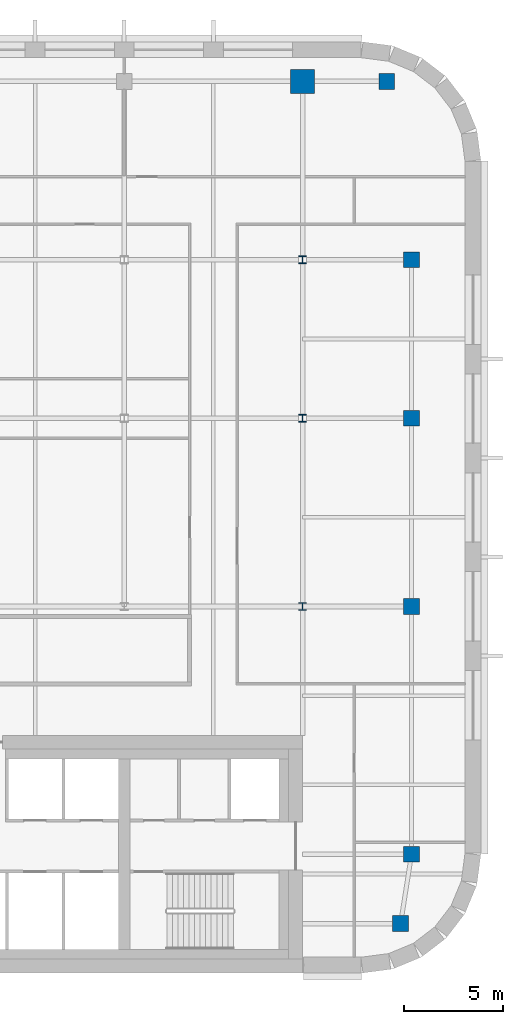
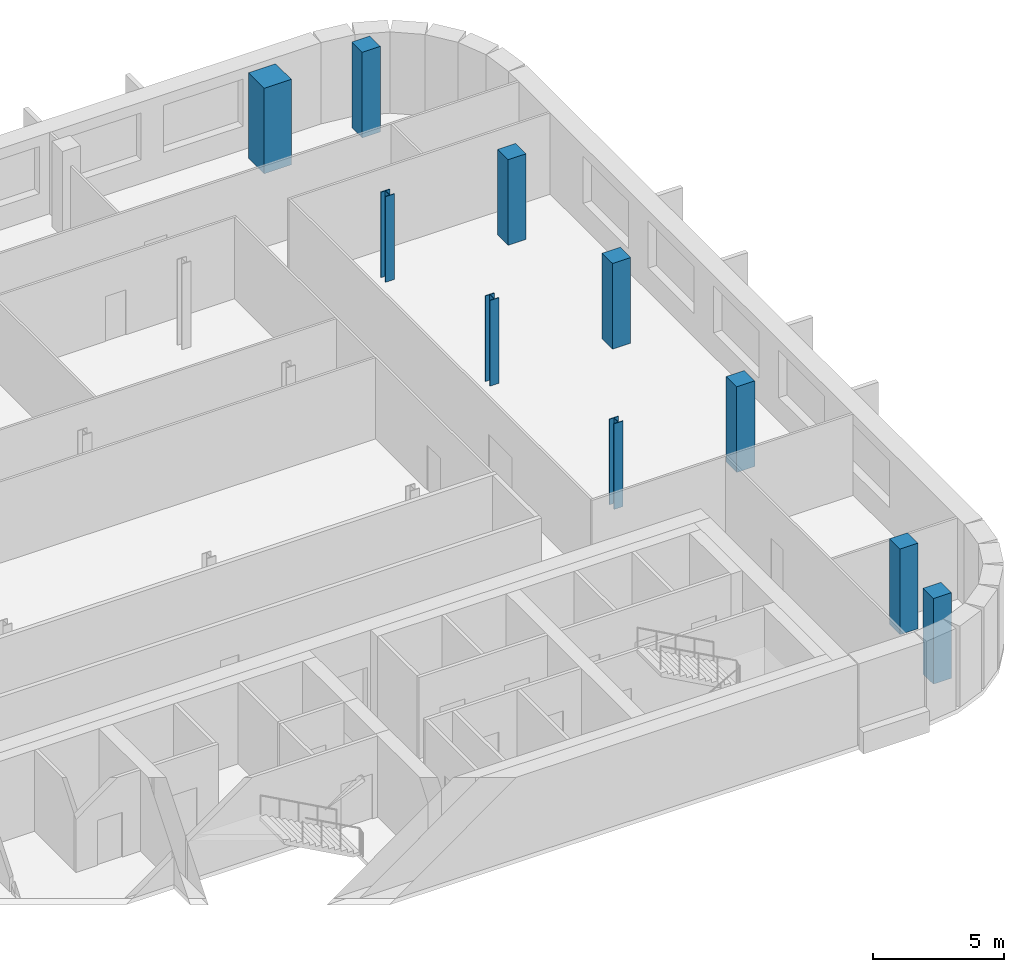
# One storey, part 4 of 16: 10 columns.
"""IFC4 building model written with IfcOpenShell, lengths in metres."""

from ifc_helpers import new_model, si_unit, direction, frame, origin, origin_2d, place, context, subcontext, project, spatial, rectangle, i_section, extrude, material, material_profile, profile_set, type_object, element, save


model = new_model("IFC4")

# Units and contexts
model_context = context("Model", 3, precision=1e-05, world=origin(), true_north=direction((0.0, 1.0)))
body_context = subcontext(model_context, "Body", "Model", "MODEL_VIEW")
ifc_project = project(units=[si_unit("LENGTHUNIT", "METRE"), si_unit("AREAUNIT", "SQUARE_METRE"), si_unit("VOLUMEUNIT", "CUBIC_METRE"), si_unit("PLANEANGLEUNIT", "RADIAN"), si_unit("MASSUNIT", "GRAM", prefix="KILO")], contexts=[model_context])

# Site, building, storey
site_placement = place(None, origin())
site = spatial("IfcSite", under=ifc_project, at=site_placement, CompositionType="ELEMENT")
building_placement = place(site_placement, origin())
building = spatial("IfcBuilding", under=site, at=building_placement, Name="Zellij Exchange Tower", CompositionType="ELEMENT")
storey_placement = place(building_placement, frame((0.0, 0.0, 236.5)))
storey = spatial("IfcBuildingStorey", under=building, at=storey_placement, Name="L55", CompositionType="ELEMENT", Elevation=236.5)

# Columns
ifc_material_1 = material(Name="Concrete C50/60", Category="concrete")
ifc_material_profile_1 = material_profile(ifc_material_1, rectangle(XDim=0.800048828125, YDim=0.800048828125, at=origin_2d()), Name="STR-COLUMN RC800x800 C50/60")
ifc_profile_set_1 = profile_set([ifc_material_profile_1], Name="Concrete C50/60")
column_type_1 = type_object("IfcColumnType", Name="STR-COLUMN RC800x800 C50/60", PredefinedType="COLUMN", material=ifc_profile_set_1)
for number, where, z_axis, x_axis, name in (
    (1, (31.949951171875, -11.5, 0.0), (0.0, 0.0, 1.0), (1.0, 0.0, 0.0), "C15"),
    (2, (32.5, -8.0, 0.0), (0.0, 0.0, 1.0), (1.0, 0.0, 0.0), "C15"),
    (3, (32.5, 4.5, 0.0), (0.0, 0.0, 1.0), (1.0, 0.0, 0.0), "C15"),
    (4, (32.5, 14.0, 0.0), (0.0, 0.0, 1.0), (1.0, 0.0, 0.0), "C15"),
    (5, (32.5, 22.0, 0.0), (0.0, 0.0, 1.0), (1.0, 0.0, 0.0), "C15"),
    (6, (31.25, 31.0, 0.0), (0.0, 0.0, 1.0), (1.0, 0.0, 0.0), "C15"),
):
    element("IfcColumn", number, at=place(storey_placement, frame(where, z_axis=z_axis, x_axis=x_axis)), inside=storey, type_object=column_type_1, Name=name, PredefinedType="COLUMN", context=body_context, shape_type="SweptSolid", body=[
        extrude(rectangle(XDim=0.800048828125, YDim=0.800048828125, at=origin_2d()), origin(), (0.0, 0.0, 1.0), 4.0),
    ])
ifc_material_2 = material(Name="Structural steel ASTM A992 Gr 50", Category="steel")
ifc_material_profile_2 = material_profile(ifc_material_2, i_section(OverallWidth=0.398681640625, OverallDepth=0.385986328125, WebThickness=0.02099609375, FlangeThickness=0.033203125, at=origin_2d()), Name="W14x176")
ifc_profile_set_2 = profile_set([ifc_material_profile_2], Name="Structural steel ASTM A992 Gr 50")
column_type_2 = type_object("IfcColumnType", Name="STR-COLUMN W14x176", PredefinedType="COLUMN", material=ifc_profile_set_2)
for number, where, z_axis, x_axis, name in (
    (7, (27.0, 4.5, 0.0), (0.0, 0.0, 1.0), (1.0, 0.0, 0.0), "C2"),
    (8, (27.0, 14.0, 0.0), (0.0, 0.0, 1.0), (1.0, 0.0, 0.0), "C2"),
    (9, (27.0, 22.0, 0.0), (0.0, 0.0, 1.0), (1.0, 0.0, 0.0), "C2"),
):
    element("IfcColumn", number, at=place(storey_placement, frame(where, z_axis=z_axis, x_axis=x_axis)), inside=storey, type_object=column_type_2, Name=name, PredefinedType="COLUMN", context=body_context, shape_type="SweptSolid", body=[
        extrude(i_section(OverallWidth=0.398681640625, OverallDepth=0.385986328125, WebThickness=0.02099609375, FlangeThickness=0.033203125, at=origin_2d()), origin(), (0.0, 0.0, 1.0), 4.0),
    ])
ifc_material_profile_3 = material_profile(ifc_material_1, rectangle(XDim=1.199951171875, YDim=1.199951171875, at=origin_2d()), Name="STR-MEGA COLUMN RC1200x1200 C50/60")
ifc_profile_set_3 = profile_set([ifc_material_profile_3], Name="Concrete C50/60")
column_type_3 = type_object("IfcColumnType", Name="STR-MEGA COLUMN RC1200x1200 C50/60", PredefinedType="COLUMN", material=ifc_profile_set_3)
column_placement = place(storey_placement, frame((27.0, 31.0, 0.0), z_axis=(0.0, 0.0, 1.0), x_axis=(1.0, 0.0, 0.0)))
element("IfcColumn", 10, at=column_placement, inside=storey, type_object=column_type_3, Name="MC2", PredefinedType="COLUMN", context=body_context, shape_type="SweptSolid", body=[
    extrude(rectangle(XDim=1.199951171875, YDim=1.199951171875, at=origin_2d()), origin(), (0.0, 0.0, 1.0), 4.0),
])

save(model, "model.ifc")
